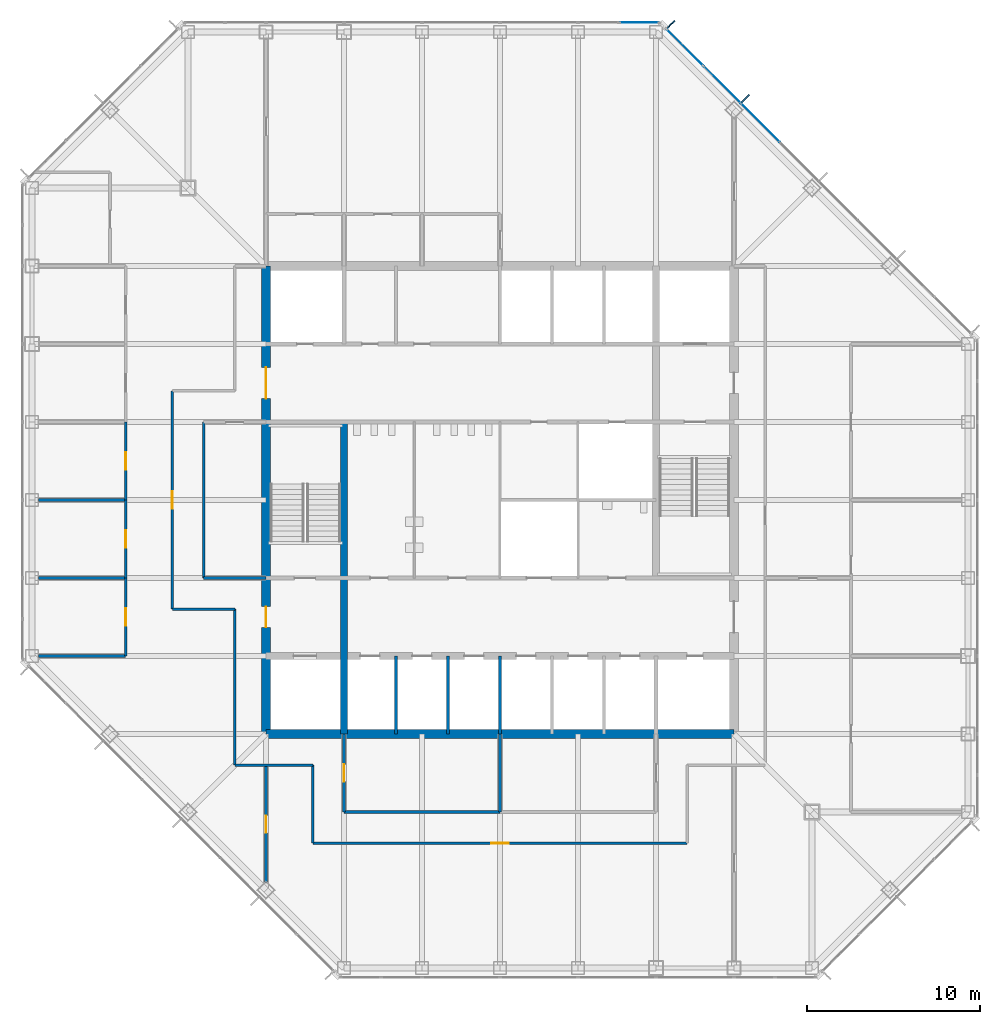
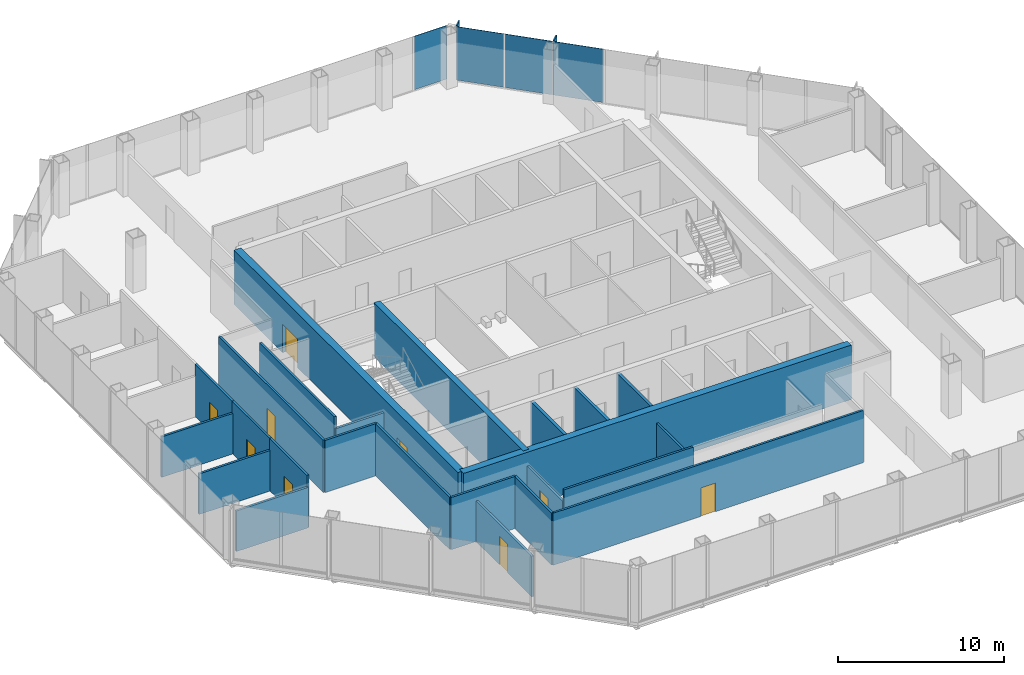
# One storey, part 8 of 13: 24 walls, 9 doors, 6 plates, 9 openings, 2 elements without a shape of their own.
"""IFC4 building model written with IfcOpenShell, lengths in metres."""

from ifc_helpers import new_model, si_unit, direction, frame, frame_2d, origin, origin_2d, place, context, subcontext, project, spatial, rectangle, extrude, material, layer, layer_set, type_object, element, fill, aggregate, save


model = new_model("IFC4")

# Units and contexts
model_context = context("Model", 3, precision=1e-05, world=origin(), true_north=direction((0.0, 1.0)))
body_context = subcontext(model_context, "Body", "Model", "MODEL_VIEW")
ifc_project = project(units=[si_unit("LENGTHUNIT", "METRE"), si_unit("AREAUNIT", "SQUARE_METRE"), si_unit("VOLUMEUNIT", "CUBIC_METRE"), si_unit("PLANEANGLEUNIT", "RADIAN"), si_unit("MASSUNIT", "GRAM", prefix="KILO")], contexts=[model_context])

# Site, building, storey
site_placement = place(None, origin())
site = spatial("IfcSite", under=ifc_project, at=site_placement, CompositionType="ELEMENT")
building_placement = place(site_placement, origin())
building = spatial("IfcBuilding", under=site, at=building_placement, Name="Corais Broadcast Tower", CompositionType="ELEMENT")
storey_placement = place(building_placement, frame((0.0, 0.0, 151.60009765625)))
storey = spatial("IfcBuildingStorey", under=building, at=storey_placement, Name="L34", CompositionType="ELEMENT", Elevation=151.60009765625)

# Curtain wall, plates
ifc_material_1 = material(Name="Aluminium and glass", Category="aluminium")
curtain_wall_type = type_object("IfcCurtainWallType", Name="Unitised fritted curtain wall CW2", PredefinedType="NOTDEFINED", material=ifc_material_1)
curtain_wall_1_placement = place(storey_placement, origin())
curtain_wall_1 = element("IfcCurtainWall", 1, at=curtain_wall_1_placement, inside=storey, type_object=curtain_wall_type, Name="CW2 curtain wall L34 5", PredefinedType="NOTDEFINED")
ifc_material_2 = material(Name="Ceramic-fritted laminated glass", Category="glass")
ifc_layer_1 = layer(ifc_material_2, 0.028076171875)
ifc_layer_set_1 = layer_set([ifc_layer_1], Name="Ceramic-fritted laminated glass")
plate_type_1 = type_object("IfcPlateType", Name="Fritted glass panel CW2", PredefinedType="CURTAIN_PANEL", material=ifc_layer_set_1)
plate_1_placement = place(storey_placement, frame((37.669677734375, 53.108154296875, 0.06494140625), z_axis=(0.0, 0.0, 1.0), x_axis=(0.707106781187, -0.707106781187, 0.0)))
plate_1 = element("IfcPlate", 2, at=plate_1_placement, type_object=plate_type_1, Name="CW2 panel 1", PredefinedType="CURTAIN_PANEL", context=body_context, shape_type="SweptSolid", body=[
    extrude(rectangle(XDim=2.9482421875, YDim=0.028076171875, at=origin_2d()), origin(), (0.0, 0.0, 1.0), 3.93505859375),
])
plate_2_placement = place(storey_placement, frame((42.013916015625, 48.763916015625, 0.06494140625), z_axis=(0.0, 0.0, 1.0), x_axis=(0.707106781187, -0.707106781187, 0.0)))
plate_2 = element("IfcPlate", 3, at=plate_2_placement, type_object=plate_type_1, Name="CW2 panel 3", PredefinedType="CURTAIN_PANEL", context=body_context, shape_type="SweptSolid", body=[
    extrude(rectangle(XDim=3.116943359375, YDim=0.028076171875, at=origin_2d()), origin(), (0.0, 0.0, 1.0), 3.93505859375),
])

# Curtain wall, plate
curtain_wall_2_placement = place(storey_placement, origin())
curtain_wall_2 = element("IfcCurtainWall", 4, at=curtain_wall_2_placement, inside=storey, type_object=curtain_wall_type, Name="CW2 curtain wall L34 4", PredefinedType="NOTDEFINED")
ifc_material_3 = material(Name="Clear laminated glass", Category="glass")
ifc_layer_2 = layer(ifc_material_3, 0.031982421875)
ifc_layer_set_2 = layer_set([ifc_layer_2], Name="Clear laminated glass")
plate_type_2 = type_object("IfcPlateType", Name="Operable glass panel CW2", PredefinedType="CURTAIN_PANEL", material=ifc_layer_set_2)
plate_3_placement = place(storey_placement, frame((35.029541015625, 54.550048828125, 0.06494140625), z_axis=(0.0, 0.0, 1.0), x_axis=(1.0, 0.0, 0.0)))
plate_3 = element("IfcPlate", 5, at=plate_3_placement, type_object=plate_type_2, Name="CW2 operable panel 8", PredefinedType="CURTAIN_PANEL", context=body_context, shape_type="SweptSolid", body=[
    extrude(rectangle(XDim=2.266357421875, YDim=0.031982421875, at=origin_2d()), origin(), (0.0, 0.0, 1.0), 3.93505859375),
])
aggregate(curtain_wall_2, [plate_3])

# Plate
plate_4_placement = place(storey_placement, frame((39.81201171875, 50.9658203125, 0.06494140625), z_axis=(0.0, 0.0, 1.0), x_axis=(0.707106781187, -0.707106781187, 0.0)))
plate_4 = element("IfcPlate", 6, at=plate_4_placement, type_object=plate_type_2, Name="CW2 operable panel 2", PredefinedType="CURTAIN_PANEL", context=body_context, shape_type="SweptSolid", body=[
    extrude(rectangle(XDim=2.98095703125, YDim=0.031982421875, at=origin_2d()), origin(), (0.0, 0.0, 1.0), 3.93505859375),
])

aggregate(curtain_wall_1, [plate_1, plate_4, plate_2])

# Plates
ifc_material_4 = material(Name="Granite stone cladding", Category="masonry")
ifc_layer_3 = layer(ifc_material_4, 0.080078125)
ifc_layer_set_3 = layer_set([ifc_layer_3], Name="Granite stone cladding")
plate_type_3 = type_object("IfcPlateType", Name="Stone screen fin 80x600", PredefinedType="USERDEFINED", material=ifc_layer_set_3)
for number, where, z_axis, x_axis, name in (
    (7, (36.8779296875, 54.447021484375, 0.0), (0.0, 0.0, 1.0), (0.707106781187, -0.707106781187, 0.0), "SF1 stone screen fin L34"),
    (8, (41.16259765625, 50.16259765625, 0.0), (0.0, 0.0, 1.0), (0.707106781187, -0.707106781187, 0.0), "SF1 stone screen fin L34"),
):
    element("IfcPlate", number, at=place(storey_placement, frame(where, z_axis=z_axis, x_axis=x_axis)), inside=storey, type_object=plate_type_3, Name=name, ObjectType="STONE SCREEN FIN", PredefinedType="USERDEFINED", context=body_context, shape_type="SweptSolid", body=[
        extrude(rectangle(XDim=0.080078125, YDim=0.60009765625, at=origin_2d()), origin(), (0.0, 0.0, 1.0), 4.0),
    ])

# Walls
ifc_material_5 = material(Name="Concrete C50/60", Category="concrete")
ifc_layer_4 = layer(ifc_material_5, 0.39990234375)
ifc_layer_set_4 = layer_set([ifc_layer_4], Name="Concrete C50/60")
wall_type_1 = type_object("IfcWallType", Name="Core wall 400", PredefinedType="SHEAR", material=ifc_layer_set_4)
wall_1_placement = place(storey_placement, frame((18.0, 13.5, 0.0), z_axis=(0.0, 0.0, 1.0), x_axis=(0.0, 1.0, 0.0)))
element("IfcWall", 9, at=wall_1_placement, inside=storey, type_object=wall_type_1, Name="CR400 core wall X18A L34", PredefinedType="SHEAR", context=body_context, shape_type="SweptSolid", body=[
    extrude(rectangle(XDim=18.0, YDim=0.39990234375, at=frame_2d((9.0, 0.0))), origin(), (0.0, 0.0, 1.0), 4.0),
])
ifc_material_6 = material(Name="Concrete C50/60", Category="concrete")
ifc_layer_5 = layer(ifc_material_6, 0.5)
ifc_layer_set_5 = layer_set([ifc_layer_5], Name="Concrete C50/60")
wall_type_2 = type_object("IfcWallType", Name="Core wall 500", PredefinedType="SHEAR", material=ifc_layer_set_5)
wall_2_placement = place(storey_placement, frame((13.5, 13.5, 0.0), z_axis=(0.0, 0.0, 1.0), x_axis=(1.0, 0.0, 0.0)))
element("IfcWall", 10, at=wall_2_placement, inside=storey, type_object=wall_type_2, Name="CR500 core wall S L34", PredefinedType="SHEAR", context=body_context, shape_type="SweptSolid", body=[
    extrude(rectangle(XDim=27.0, YDim=0.5, at=frame_2d((13.5, 0.0))), origin(), (0.0, 0.0, 1.0), 4.0),
])

# Wall, openings, doors
wall_3_placement = place(storey_placement, frame((13.5, 40.5, 0.0), z_axis=(0.0, 0.0, 1.0), x_axis=(0.0, -1.0, 0.0)))
wall_3 = element("IfcWall", 11, at=wall_3_placement, inside=storey, type_object=wall_type_2, Name="CR500 core wall W L34", PredefinedType="SHEAR", context=body_context, shape_type="SweptSolid", body=[
    extrude(rectangle(XDim=27.0, YDim=0.5, at=frame_2d((13.5, 0.0))), origin(), (0.0, 0.0, 1.0), 4.0),
])
opening_1_placement = place(wall_3_placement, frame((19.64990234375, 0.0, 0.0)))
opening_1 = element("IfcOpeningElement", 12, at=opening_1_placement, cuts=wall_3, Name="Opening FD1", PredefinedType="OPENING", context=body_context, shape_type="SweptSolid", body=[
    extrude(rectangle(XDim=1.199951171875, YDim=2.10009765625, at=frame_2d((0.60009765625, 1.050048828125))), frame((0.0, 0.260009765625, 0.0), z_axis=(0.0, -1.0, 0.0), x_axis=(1.0, 0.0, 0.0)), (0.0, 0.0, 1.0), 0.52001953125),
])
opening_2_placement = place(wall_3_placement, frame((5.85009765625, 0.0, 0.0)))
opening_2 = element("IfcOpeningElement", 13, at=opening_2_placement, cuts=wall_3, Name="Opening FD2", PredefinedType="OPENING", context=body_context, shape_type="SweptSolid", body=[
    extrude(rectangle(XDim=1.800048828125, YDim=2.10009765625, at=frame_2d((0.89990234375, 1.050048828125))), frame((0.0, 0.260009765625, 0.0), z_axis=(0.0, -1.0, 0.0), x_axis=(1.0, 0.0, 0.0)), (0.0, 0.0, 1.0), 0.52001953125),
])
ifc_material_7 = material(Name="Steel fire door", Category="steel")
door_type_1 = type_object("IfcDoorType", Name="Fire door 1200x2100", OperationType="SINGLE_SWING_LEFT", PredefinedType="DOOR", material=ifc_material_7)
door_1_placement = place(opening_1_placement, origin())
door_1 = element("IfcDoor", 14, at=door_1_placement, inside=storey, type_object=door_type_1, Name="FD1 fire lobby A door L34", OperationType="SINGLE_SWING_RIGHT", OverallHeight=2.10009765625, OverallWidth=1.199951171875, PredefinedType="DOOR", context=body_context, shape_type="SweptSolid", body=[
    extrude(rectangle(XDim=1.199951171875, YDim=2.10009765625, at=frame_2d((0.60009765625, 1.050048828125))), frame((0.0, 0.02490234375, 0.0), z_axis=(0.0, -1.0, 0.0), x_axis=(1.0, 0.0, 0.0)), (0.0, 0.0, 1.0), 0.050048828125),
])
fill(opening_1, door_1)
ifc_material_8 = material(Name="Steel fire door", Category="steel")
door_type_2 = type_object("IfcDoorType", Name="Fire door pair 1800x2100", OperationType="DOUBLE_DOOR_SINGLE_SWING", PredefinedType="DOOR", material=ifc_material_8)
door_2_placement = place(opening_2_placement, origin())
door_2 = element("IfcDoor", 15, at=door_2_placement, inside=storey, type_object=door_type_2, Name="FD2 lift lobby door L34", OperationType="SINGLE_SWING_LEFT", OverallHeight=2.10009765625, OverallWidth=1.800048828125, PredefinedType="DOOR", context=body_context, shape_type="SweptSolid", body=[
    extrude(rectangle(XDim=1.800048828125, YDim=2.10009765625, at=frame_2d((0.89990234375, 1.050048828125))), frame((0.0, 0.02490234375, 0.0), z_axis=(0.0, -1.0, 0.0), x_axis=(1.0, 0.0, 0.0)), (0.0, 0.0, 1.0), 0.050048828125),
])
fill(opening_2, door_2)

# Wall, opening, door
ifc_material_9 = material(Name="Gypsum board on steel studs", Category="steel")
ifc_layer_6 = layer(ifc_material_9, 0.14990234375)
ifc_layer_set_6 = layer_set([ifc_layer_6], Name="Gypsum board on steel studs")
wall_type_3 = type_object("IfcWallType", Name="Partition 150", PredefinedType="PARTITIONING", material=ifc_layer_set_6)
wall_4_placement = place(storey_placement, frame((16.199951171875, 7.199951171875, 0.0), z_axis=(0.0, 0.0, 1.0), x_axis=(1.0, 0.0, 0.0)))
wall_4 = element("IfcWall", 16, at=wall_4_placement, inside=storey, type_object=wall_type_3, Name="IW3 corridor wall L34", PredefinedType="PARTITIONING", context=body_context, shape_type="SweptSolid", body=[
    extrude(rectangle(XDim=21.60009765625, YDim=0.14990234375, at=frame_2d((10.800048828125, 0.0))), origin(), (0.0, 0.0, 1.0), 3.83984375),
])
opening_3_placement = place(wall_4_placement, frame((10.300048828125, 0.0, 0.0)))
opening_3 = element("IfcOpeningElement", 17, at=opening_3_placement, cuts=wall_4, Name="Opening D1", PredefinedType="OPENING", context=body_context, shape_type="SweptSolid", body=[
    extrude(rectangle(XDim=1.0, YDim=2.10009765625, at=frame_2d((0.5, 1.050048828125))), frame((0.0, 0.0849609375, 0.0), z_axis=(0.0, -1.0, 0.0), x_axis=(1.0, 0.0, 0.0)), (0.0, 0.0, 1.0), 0.169921875),
])
ifc_material_10 = material(Name="Timber door", Category="wood")
door_type_3 = type_object("IfcDoorType", Name="Single door 1000x2100", OperationType="SINGLE_SWING_LEFT", PredefinedType="DOOR", material=ifc_material_10)
door_3_placement = place(opening_3_placement, origin())
door_3 = element("IfcDoor", 18, at=door_3_placement, inside=storey, type_object=door_type_3, Name="D1 workplace door L34", OperationType="SINGLE_SWING_LEFT", OverallHeight=2.10009765625, OverallWidth=1.0, PredefinedType="DOOR", context=body_context, shape_type="SweptSolid", body=[
    extrude(rectangle(XDim=1.0, YDim=2.10009765625, at=frame_2d((0.5, 1.050048828125))), frame((0.0, 0.02490234375, 0.0), z_axis=(0.0, -1.0, 0.0), x_axis=(1.0, 0.0, 0.0)), (0.0, 0.0, 1.0), 0.050048828125),
])
fill(opening_3, door_3)

wall_5_placement = place(storey_placement, frame((8.10009765625, 33.300048828125, 0.0), z_axis=(0.0, 0.0, 1.0), x_axis=(0.0, -1.0, 0.0)))
wall_5 = element("IfcWall", 19, at=wall_5_placement, inside=storey, type_object=wall_type_3, Name="IW3 corridor wall L34", PredefinedType="PARTITIONING", context=body_context, shape_type="SweptSolid", body=[
    extrude(rectangle(XDim=12.60009765625, YDim=0.14990234375, at=frame_2d((6.300048828125, 0.0))), origin(), (0.0, 0.0, 1.0), 3.83984375),
])
opening_4_placement = place(wall_5_placement, frame((5.800048828125, 0.0, 0.0)))
opening_4 = element("IfcOpeningElement", 20, at=opening_4_placement, cuts=wall_5, Name="Opening D1", PredefinedType="OPENING", context=body_context, shape_type="SweptSolid", body=[
    extrude(rectangle(XDim=1.0, YDim=2.10009765625, at=frame_2d((0.5, 1.050048828125))), frame((0.0, 0.0849609375, 0.0), z_axis=(0.0, -1.0, 0.0), x_axis=(1.0, 0.0, 0.0)), (0.0, 0.0, 1.0), 0.169921875),
])
door_4_placement = place(opening_4_placement, origin())
door_4 = element("IfcDoor", 21, at=door_4_placement, inside=storey, type_object=door_type_3, Name="D1 workplace door L34", OperationType="SINGLE_SWING_LEFT", OverallHeight=2.10009765625, OverallWidth=1.0, PredefinedType="DOOR", context=body_context, shape_type="SweptSolid", body=[
    extrude(rectangle(XDim=1.0, YDim=2.10009765625, at=frame_2d((0.5, 1.050048828125))), frame((0.0, 0.02490234375, 0.0), z_axis=(0.0, -1.0, 0.0), x_axis=(1.0, 0.0, 0.0)), (0.0, 0.0, 1.0), 0.050048828125),
])
fill(opening_4, door_4)

# Walls
wall_6_placement = place(storey_placement, frame((11.699951171875, 20.699951171875, 0.0), z_axis=(0.0, 0.0, 1.0), x_axis=(0.0, -1.0, 0.0)))
element("IfcWall", 22, at=wall_6_placement, inside=storey, type_object=wall_type_3, Name="IW3 corridor wall L34", PredefinedType="PARTITIONING", context=body_context, shape_type="SweptSolid", body=[
    extrude(rectangle(XDim=9.0, YDim=0.14990234375, at=frame_2d((4.5, 0.0))), origin(), (0.0, 0.0, 1.0), 3.83984375),
])
for number, where, z_axis, x_axis, name in (
    (23, (11.699951171875, 11.699951171875, 0.0), (0.0, 0.0, 1.0), (1.0, 0.0, 0.0), "IW3 corridor wall L34"),
    (24, (16.199951171875, 11.699951171875, 0.0), (0.0, 0.0, 1.0), (0.0, -1.0, 0.0), "IW3 corridor wall L34"),
):
    element("IfcWall", number, at=place(storey_placement, frame(where, z_axis=z_axis, x_axis=x_axis)), inside=storey, type_object=wall_type_3, Name=name, PredefinedType="PARTITIONING", context=body_context, shape_type="SweptSolid", body=[
        extrude(rectangle(XDim=4.5, YDim=0.14990234375, at=frame_2d((2.25, 0.0))), origin(), (0.0, 0.0, 1.0), 3.83984375),
    ])
wall_7_placement = place(storey_placement, frame((8.10009765625, 20.699951171875, 0.0), z_axis=(0.0, 0.0, 1.0), x_axis=(1.0, 0.0, 0.0)))
element("IfcWall", 25, at=wall_7_placement, inside=storey, type_object=wall_type_3, Name="IW3 corridor wall L34", PredefinedType="PARTITIONING", context=body_context, shape_type="SweptSolid", body=[
    extrude(rectangle(XDim=3.599853515625, YDim=0.14990234375, at=frame_2d((1.7998046875, 0.0))), origin(), (0.0, 0.0, 1.0), 3.83984375),
])
wall_8_placement = place(storey_placement, frame((18.0, 9.0, 0.0), z_axis=(0.0, 0.0, 1.0), x_axis=(1.0, 0.0, 0.0)))
element("IfcWall", 26, at=wall_8_placement, inside=storey, type_object=wall_type_3, Name="IW3 partition L34", PredefinedType="PARTITIONING", context=body_context, shape_type="SweptSolid", body=[
    extrude(rectangle(XDim=9.0, YDim=0.14990234375, at=frame_2d((4.5, 0.0))), origin(), (0.0, 0.0, 1.0), 3.83984375),
])
wall_9_placement = place(storey_placement, frame((27.0, 9.0, 0.0), z_axis=(0.0, 0.0, 1.0), x_axis=(0.0, 1.0, 0.0)))
element("IfcWall", 27, at=wall_9_placement, inside=storey, type_object=wall_type_3, Name="IW3 partition L34", PredefinedType="PARTITIONING", context=body_context, shape_type="SweptSolid", body=[
    extrude(rectangle(XDim=4.5, YDim=0.14990234375, at=frame_2d((2.25, 0.0))), origin(), (0.0, 0.0, 1.0), 2.989013671875),
])

# Wall, opening, door
wall_10_placement = place(storey_placement, frame((18.0, 13.5, 0.0), z_axis=(0.0, 0.0, 1.0), x_axis=(0.0, -1.0, 0.0)))
wall_10 = element("IfcWall", 28, at=wall_10_placement, inside=storey, type_object=wall_type_3, Name="IW3 partition L34", PredefinedType="PARTITIONING", context=body_context, shape_type="SweptSolid", body=[
    extrude(rectangle(XDim=4.5, YDim=0.14990234375, at=frame_2d((2.25, 0.0))), origin(), (0.0, 0.0, 1.0), 2.989013671875),
])
opening_5_placement = place(wall_10_placement, frame((1.75, 0.0, 0.0)))
opening_5 = element("IfcOpeningElement", 29, at=opening_5_placement, cuts=wall_10, Name="Opening D1", PredefinedType="OPENING", context=body_context, shape_type="SweptSolid", body=[
    extrude(rectangle(XDim=1.0, YDim=2.10009765625, at=frame_2d((0.5, 1.050048828125))), frame((0.0, 0.0849609375, 0.0), z_axis=(0.0, -1.0, 0.0), x_axis=(1.0, 0.0, 0.0)), (0.0, 0.0, 1.0), 0.169921875),
])
door_5_placement = place(opening_5_placement, origin())
door_5 = element("IfcDoor", 30, at=door_5_placement, inside=storey, type_object=door_type_3, Name="D1 Meeting room door", OperationType="SINGLE_SWING_LEFT", OverallHeight=2.10009765625, OverallWidth=1.0, PredefinedType="DOOR", context=body_context, shape_type="SweptSolid", body=[
    extrude(rectangle(XDim=1.0, YDim=2.10009765625, at=frame_2d((0.5, 1.050048828125))), frame((0.0, 0.02490234375, 0.0), z_axis=(0.0, -1.0, 0.0), x_axis=(1.0, 0.0, 0.0)), (0.0, 0.0, 1.0), 0.050048828125),
])
fill(opening_5, door_5)

# Walls
wall_11_placement = place(storey_placement, frame((9.89990234375, 22.5, 0.0), z_axis=(0.0, 0.0, 1.0), x_axis=(1.0, 0.0, 0.0)))
element("IfcWall", 31, at=wall_11_placement, inside=storey, type_object=wall_type_3, Name="IW3 partition L34", PredefinedType="PARTITIONING", context=body_context, shape_type="SweptSolid", body=[
    extrude(rectangle(XDim=3.60009765625, YDim=0.14990234375, at=frame_2d((1.800048828125, 0.0))), origin(), (0.0, 0.0, 1.0), 2.989013671875),
])
wall_12_placement = place(storey_placement, frame((9.89990234375, 31.5, 0.0), z_axis=(0.0, 0.0, 1.0), x_axis=(0.0, -1.0, 0.0)))
element("IfcWall", 32, at=wall_12_placement, inside=storey, type_object=wall_type_3, Name="IW3 partition L34", PredefinedType="PARTITIONING", context=body_context, shape_type="SweptSolid", body=[
    extrude(rectangle(XDim=9.0, YDim=0.14990234375, at=frame_2d((4.5, 0.0))), origin(), (0.0, 0.0, 1.0), 3.83984375),
])
wall_13_placement = place(storey_placement, frame((0.385009765625, 18.0, 0.0), z_axis=(0.0, 0.0, 1.0), x_axis=(1.0, 0.0, 0.0)))
element("IfcWall", 33, at=wall_13_placement, inside=storey, type_object=wall_type_3, Name="IW3 partition L34", PredefinedType="PARTITIONING", context=body_context, shape_type="SweptSolid", body=[
    extrude(rectangle(XDim=5.014892578125, YDim=0.14990234375, at=frame_2d((2.50732421875, 0.0))), origin(), (0.0, 0.0, 1.0), 2.989013671875),
])

# Wall, opening, door
wall_14_placement = place(storey_placement, frame((5.39990234375, 18.0, 0.0), z_axis=(0.0, 0.0, 1.0), x_axis=(0.0, 1.0, 0.0)))
wall_14 = element("IfcWall", 34, at=wall_14_placement, inside=storey, type_object=wall_type_3, Name="IW3 partition L34", PredefinedType="PARTITIONING", context=body_context, shape_type="SweptSolid", body=[
    extrude(rectangle(XDim=4.5, YDim=0.14990234375, at=frame_2d((2.25, 0.0))), origin(), (0.0, 0.0, 1.0), 3.83984375),
])
opening_6_placement = place(wall_14_placement, frame((1.75, 0.0, 0.0)))
opening_6 = element("IfcOpeningElement", 35, at=opening_6_placement, cuts=wall_14, Name="Opening D1", PredefinedType="OPENING", context=body_context, shape_type="SweptSolid", body=[
    extrude(rectangle(XDim=1.0, YDim=2.10009765625, at=frame_2d((0.5, 1.050048828125))), frame((0.0, 0.0849609375, 0.0), z_axis=(0.0, -1.0, 0.0), x_axis=(1.0, 0.0, 0.0)), (0.0, 0.0, 1.0), 0.169921875),
])
door_6_placement = place(opening_6_placement, origin())
door_6 = element("IfcDoor", 36, at=door_6_placement, inside=storey, type_object=door_type_3, Name="D1 Edit room door", OperationType="SINGLE_SWING_LEFT", OverallHeight=2.10009765625, OverallWidth=1.0, PredefinedType="DOOR", context=body_context, shape_type="SweptSolid", body=[
    extrude(rectangle(XDim=1.0, YDim=2.10009765625, at=frame_2d((0.5, 1.050048828125))), frame((0.0, 0.02490234375, 0.0), z_axis=(0.0, -1.0, 0.0), x_axis=(1.0, 0.0, 0.0)), (0.0, 0.0, 1.0), 0.050048828125),
])
fill(opening_6, door_6)

# Wall
wall_15_placement = place(storey_placement, frame((5.39990234375, 22.5, 0.0), z_axis=(0.0, 0.0, 1.0), x_axis=(-1.0, 0.0, 0.0)))
element("IfcWall", 37, at=wall_15_placement, inside=storey, type_object=wall_type_3, Name="IW3 partition L34", PredefinedType="PARTITIONING", context=body_context, shape_type="SweptSolid", body=[
    extrude(rectangle(XDim=5.014892578125, YDim=0.14990234375, at=frame_2d((2.50732421875, 0.0))), origin(), (0.0, 0.0, 1.0), 2.989013671875),
])

# Wall, opening, door
wall_16_placement = place(storey_placement, frame((5.39990234375, 22.5, 0.0), z_axis=(0.0, 0.0, 1.0), x_axis=(0.0, 1.0, 0.0)))
wall_16 = element("IfcWall", 38, at=wall_16_placement, inside=storey, type_object=wall_type_3, Name="IW3 partition L34", PredefinedType="PARTITIONING", context=body_context, shape_type="SweptSolid", body=[
    extrude(rectangle(XDim=4.5, YDim=0.14990234375, at=frame_2d((2.25, 0.0))), origin(), (0.0, 0.0, 1.0), 3.83984375),
])
opening_7_placement = place(wall_16_placement, frame((1.75, 0.0, 0.0)))
opening_7 = element("IfcOpeningElement", 39, at=opening_7_placement, cuts=wall_16, Name="Opening D1", PredefinedType="OPENING", context=body_context, shape_type="SweptSolid", body=[
    extrude(rectangle(XDim=1.0, YDim=2.10009765625, at=frame_2d((0.5, 1.050048828125))), frame((0.0, 0.0849609375, 0.0), z_axis=(0.0, -1.0, 0.0), x_axis=(1.0, 0.0, 0.0)), (0.0, 0.0, 1.0), 0.169921875),
])
door_7_placement = place(opening_7_placement, origin())
door_7 = element("IfcDoor", 40, at=door_7_placement, inside=storey, type_object=door_type_3, Name="D1 Edit room door", OperationType="SINGLE_SWING_LEFT", OverallHeight=2.10009765625, OverallWidth=1.0, PredefinedType="DOOR", context=body_context, shape_type="SweptSolid", body=[
    extrude(rectangle(XDim=1.0, YDim=2.10009765625, at=frame_2d((0.5, 1.050048828125))), frame((0.0, 0.02490234375, 0.0), z_axis=(0.0, -1.0, 0.0), x_axis=(1.0, 0.0, 0.0)), (0.0, 0.0, 1.0), 0.050048828125),
])
fill(opening_7, door_7)

# Wall
wall_17_placement = place(storey_placement, frame((5.39990234375, 27.0, 0.0), z_axis=(0.0, 0.0, 1.0), x_axis=(-1.0, 0.0, 0.0)))
element("IfcWall", 41, at=wall_17_placement, inside=storey, type_object=wall_type_3, Name="IW3 partition L34", PredefinedType="PARTITIONING", context=body_context, shape_type="SweptSolid", body=[
    extrude(rectangle(XDim=5.014892578125, YDim=0.14990234375, at=frame_2d((2.50732421875, 0.0))), origin(), (0.0, 0.0, 1.0), 2.989013671875),
])

# Wall, opening, door
wall_18_placement = place(storey_placement, frame((5.39990234375, 27.0, 0.0), z_axis=(0.0, 0.0, 1.0), x_axis=(0.0, 1.0, 0.0)))
wall_18 = element("IfcWall", 42, at=wall_18_placement, inside=storey, type_object=wall_type_3, Name="IW3 partition L34", PredefinedType="PARTITIONING", context=body_context, shape_type="SweptSolid", body=[
    extrude(rectangle(XDim=4.5, YDim=0.14990234375, at=frame_2d((2.25, 0.0))), origin(), (0.0, 0.0, 1.0), 3.83984375),
])
opening_8_placement = place(wall_18_placement, frame((1.75, 0.0, 0.0)))
opening_8 = element("IfcOpeningElement", 43, at=opening_8_placement, cuts=wall_18, Name="Opening D1", PredefinedType="OPENING", context=body_context, shape_type="SweptSolid", body=[
    extrude(rectangle(XDim=1.0, YDim=2.10009765625, at=frame_2d((0.5, 1.050048828125))), frame((0.0, 0.0849609375, 0.0), z_axis=(0.0, -1.0, 0.0), x_axis=(1.0, 0.0, 0.0)), (0.0, 0.0, 1.0), 0.169921875),
])
door_8_placement = place(opening_8_placement, origin())
door_8 = element("IfcDoor", 44, at=door_8_placement, inside=storey, type_object=door_type_3, Name="D1 Edit room door", OperationType="SINGLE_SWING_LEFT", OverallHeight=2.10009765625, OverallWidth=1.0, PredefinedType="DOOR", context=body_context, shape_type="SweptSolid", body=[
    extrude(rectangle(XDim=1.0, YDim=2.10009765625, at=frame_2d((0.5, 1.050048828125))), frame((0.0, 0.02490234375, 0.0), z_axis=(0.0, -1.0, 0.0), x_axis=(1.0, 0.0, 0.0)), (0.0, 0.0, 1.0), 0.050048828125),
])
fill(opening_8, door_8)

wall_19_placement = place(storey_placement, frame((13.5, 4.89501953125, 0.0), z_axis=(0.0, 0.0, 1.0), x_axis=(0.0, 1.0, 0.0)))
wall_19 = element("IfcWall", 45, at=wall_19_placement, inside=storey, type_object=wall_type_3, Name="IW3 partition L34", PredefinedType="PARTITIONING", context=body_context, shape_type="SweptSolid", body=[
    extrude(rectangle(XDim=6.804931640625, YDim=0.14990234375, at=frame_2d((3.40234375, 0.0))), origin(), (0.0, 0.0, 1.0), 2.989013671875),
])
opening_9_placement = place(wall_19_placement, frame((2.902587890625, 0.0, 0.0)))
opening_9 = element("IfcOpeningElement", 46, at=opening_9_placement, cuts=wall_19, Name="Opening D1", PredefinedType="OPENING", context=body_context, shape_type="SweptSolid", body=[
    extrude(rectangle(XDim=1.0, YDim=2.10009765625, at=frame_2d((0.5, 1.050048828125))), frame((0.0, 0.0849609375, 0.0), z_axis=(0.0, -1.0, 0.0), x_axis=(1.0, 0.0, 0.0)), (0.0, 0.0, 1.0), 0.169921875),
])
door_9_placement = place(opening_9_placement, origin())
door_9 = element("IfcDoor", 47, at=door_9_placement, inside=storey, type_object=door_type_3, Name="D1 team room door L34", OperationType="SINGLE_SWING_LEFT", OverallHeight=2.10009765625, OverallWidth=1.0, PredefinedType="DOOR", context=body_context, shape_type="SweptSolid", body=[
    extrude(rectangle(XDim=1.0, YDim=2.10009765625, at=frame_2d((0.5, 1.050048828125))), frame((0.0, 0.02490234375, 0.0), z_axis=(0.0, -1.0, 0.0), x_axis=(1.0, 0.0, 0.0)), (0.0, 0.0, 1.0), 0.050048828125),
])
fill(opening_9, door_9)

# Walls
ifc_material_11 = material(Name="Concrete blockwork class A, grouted, two-hour", Category="masonry")
ifc_layer_7 = layer(ifc_material_11, 0.199951171875)
ifc_layer_set_7 = layer_set([ifc_layer_7], Name="Concrete blockwork class A, grouted, two-hour")
wall_type_4 = type_object("IfcWallType", Name="Shaft wall 200", PredefinedType="PARTITIONING", material=ifc_layer_set_7)
for number, where, z_axis, x_axis, name in (
    (48, (21.0, 13.5, 0.0), (0.0, 0.0, 1.0), (0.0, 1.0, 0.0), "IW1 shaft wall L34"),
    (49, (24.0, 13.5, 0.0), (0.0, 0.0, 1.0), (0.0, 1.0, 0.0), "IW1 shaft wall L34"),
    (50, (27.0, 13.5, 0.0), (0.0, 0.0, 1.0), (0.0, 1.0, 0.0), "IW1 shaft wall L34"),
):
    element("IfcWall", number, at=place(storey_placement, frame(where, z_axis=z_axis, x_axis=x_axis)), inside=storey, type_object=wall_type_4, Name=name, PredefinedType="PARTITIONING", context=body_context, shape_type="SweptSolid", body=[
        extrude(rectangle(XDim=4.5, YDim=0.199951171875, at=frame_2d((2.25, 0.0))), origin(), (0.0, 0.0, 1.0), 3.83984375),
    ])

save(model, "model.ifc")
